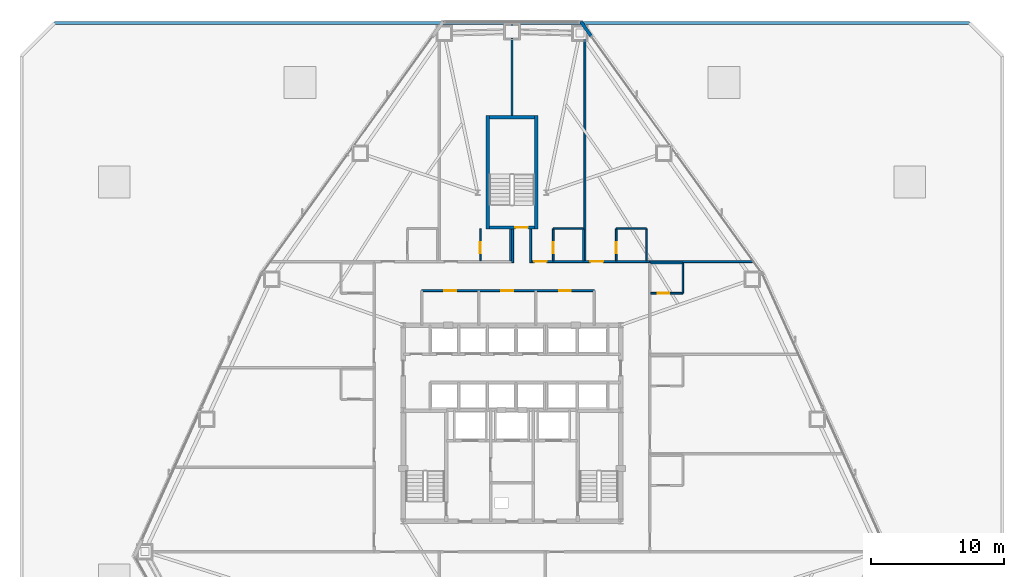
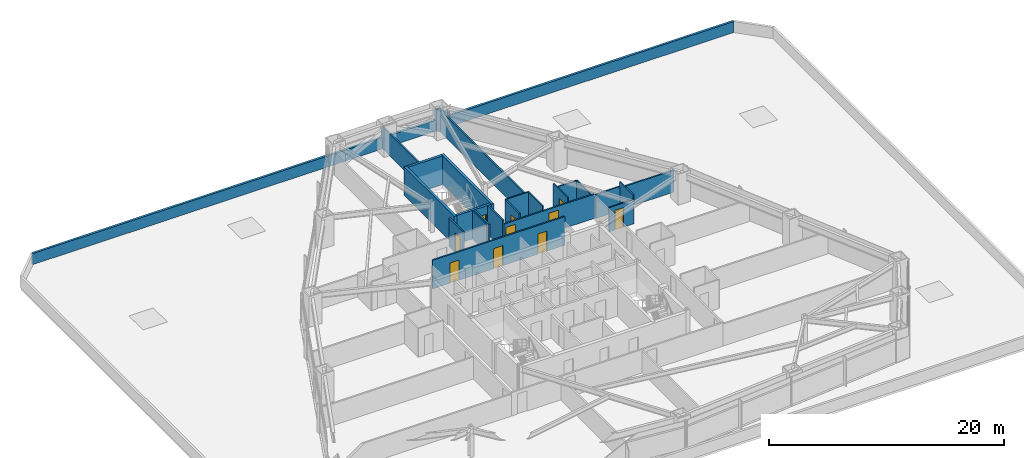
# One storey, part 15 of 17: 24 walls, 10 doors, 10 openings.
"""IFC4 building model written with IfcOpenShell, lengths in metres."""

import ifcopenshell
import ifcopenshell.guid

model = None  # the IFC model being written
_history = None  # IfcOwnerHistory: only IFC2X3 demands one
_inside = {}  # id of a spatial element -> (the spatial element, [elements in it])
_under = {}  # id of a project, library or spatial element -> (it, [spatial elements below it])
_declared = {}  # id of a project -> (the project, [libraries it declares])
_typed = {}  # id of a type object -> (the type object, [elements of that type])
_made_of = {}  # id of a material, layer set ... -> (it, [elements and type objects made of it])


def new_model(schema):
    """Start an empty IFC model of exactly this schema.

    Asked for "IFC4X3", IfcOpenShell would pick the latest addendum, in which some entities
    have other attributes; the version numbers below select the first issue.
    IFC2X3 requires an IfcOwnerHistory on every rooted entity: one is made here for all.
    """
    global model, _history
    if schema == "IFC4X3":
        model = ifcopenshell.file(schema_version=(4, 3, 0, 0))
    else:
        model = ifcopenshell.file(schema=schema)
    _inside.clear()
    _under.clear()
    _declared.clear()
    _typed.clear()
    _made_of.clear()
    _history = None
    if model.schema == "IFC2X3":
        org = make("IfcOrganization", Name="unknown")
        user = make(
            "IfcPersonAndOrganization",
            ThePerson=make("IfcPerson", FamilyName="unknown"),
            TheOrganization=org,
        )
        app = make(
            "IfcApplication",
            ApplicationDeveloper=org,
            Version="unknown",
            ApplicationFullName="unknown",
            ApplicationIdentifier="unknown",
        )
        _history = make(
            "IfcOwnerHistory",
            OwningUser=user,
            OwningApplication=app,
            ChangeAction="ADDED",
            CreationDate=0,
        )
    return model


def make(cls, **values):
    """One entity of the class cls with the attributes given. An attribute that is None is left unset."""
    return model.create_entity(
        cls, **{name: value for name, value in values.items() if value is not None}
    )


def rooted(cls, **values):
    """An entity with a GlobalId (a new one), such as an element, a storey or a relation."""
    return make(cls, GlobalId=ifcopenshell.guid.new(), OwnerHistory=_history, **values)


def si_unit(unit_type, name, prefix=None):
    """IfcSIUnit, for example si_unit("LENGTHUNIT", "METRE", prefix="MILLI")."""
    return make("IfcSIUnit", UnitType=unit_type, Prefix=prefix, Name=name)


def assignment(units):
    """IfcUnitAssignment: the units of a project."""
    return None if units is None else make("IfcUnitAssignment", Units=units)


def point(xyz):
    """IfcCartesianPoint."""
    return None if xyz is None else make("IfcCartesianPoint", Coordinates=xyz)


def direction(xyz):
    """IfcDirection."""
    return None if xyz is None else make("IfcDirection", DirectionRatios=xyz)


def frame(location, z_axis=None, x_axis=None):
    """IfcAxis2Placement3D, a coordinate frame: its origin and axes. An axis left out is left unset."""
    return make(
        "IfcAxis2Placement3D",
        Location=point(location),
        Axis=direction(z_axis),
        RefDirection=direction(x_axis),
    )


def frame_2d(location, x_axis=None):
    """IfcAxis2Placement2D, a coordinate frame in the plane: its origin and x axis."""
    return make(
        "IfcAxis2Placement2D", Location=point(location), RefDirection=direction(x_axis)
    )


def origin():
    """The frame at (0, 0, 0) with its axes left unset."""
    return frame((0.0, 0.0, 0.0))


def place(relative_to, where):
    """IfcLocalPlacement: puts the frame where relative to a parent placement (None: the world)."""
    return make(
        "IfcLocalPlacement", PlacementRelTo=relative_to, RelativePlacement=where
    )


def context(
    kind, dimensions, precision=None, world=None, true_north=None, identifier=None
):
    """IfcGeometricRepresentationContext, for example the 3D "Model" context."""
    return make(
        "IfcGeometricRepresentationContext",
        ContextIdentifier=identifier,
        ContextType=kind,
        CoordinateSpaceDimension=dimensions,
        Precision=precision,
        WorldCoordinateSystem=world,
        TrueNorth=true_north,
    )


def subcontext(parent, identifier, kind, view, scale=None):
    """IfcGeometricRepresentationSubContext, for example "Body" below "Model"."""
    return make(
        "IfcGeometricRepresentationSubContext",
        ContextIdentifier=identifier,
        ContextType=kind,
        ParentContext=parent,
        TargetScale=scale,
        TargetView=view,
    )


def project(units=None, contexts=None):
    """IfcProject with its units and contexts."""
    return rooted(
        "IfcProject",
        Name="project",
        RepresentationContexts=contexts,
        UnitsInContext=assignment(units),
    )


def spatial(cls, under=None, at=None, **own):
    """A site, building, storey or space (cls), placed at a placement, below another one or the project."""
    s = rooted(cls, ObjectPlacement=at, **own)
    if under is not None:
        _under.setdefault(under.id(), (under, []))[1].append(s)
    return s


def profile(cls, at=None, kind="AREA", **sizes):
    """A parametric profile (cls). Its sizes go by their IFC names, for example OverallWidth=200.0."""
    return make(cls, ProfileType=kind, Position=at, **sizes)


def rectangle(**sizes):
    """IfcRectangleProfileDef."""
    return profile("IfcRectangleProfileDef", **sizes)


def extrude(swept, where, along, depth):
    """IfcExtrudedAreaSolid: the profile swept, set in the frame where, extruded along a direction by depth."""
    return make(
        "IfcExtrudedAreaSolid",
        SweptArea=swept,
        Position=where,
        ExtrudedDirection=direction(along),
        Depth=depth,
    )


def shape(context_of_items, identifier, shape_type, items):
    """IfcShapeRepresentation: the items that make up one representation, for example the "Body"."""
    return make(
        "IfcShapeRepresentation",
        ContextOfItems=context_of_items,
        RepresentationIdentifier=identifier,
        RepresentationType=shape_type,
        Items=items,
    )


def material(Name=None, Category=None):
    """IfcMaterial."""
    return make("IfcMaterial", Name=Name, Category=Category)


def layer(
    of_material, thickness, ventilated=None, Name=None, Category=None, Priority=None
):
    """IfcMaterialLayer: one layer of a wall or slab, of a material (None: an air gap)."""
    return make(
        "IfcMaterialLayer",
        Material=of_material,
        LayerThickness=thickness,
        IsVentilated=ventilated,
        Name=Name,
        Category=Category,
        Priority=Priority,
    )


def layer_set(layers, Name=None):
    """IfcMaterialLayerSet."""
    return make("IfcMaterialLayerSet", MaterialLayers=layers, LayerSetName=Name)


def made_of(thing, what):
    """Note that an element or type object is made of a material, layer set ...; save() writes the relation."""
    if what is not None:
        _made_of.setdefault(what.id(), (what, []))[1].append(thing)
    return thing


def type_object(cls, material=None, **own):
    """A type object (cls), such as IfcWallType, which elements share."""
    return made_of(rooted(cls, **own), material)


def element(
    cls,
    number,
    at=None,
    inside=None,
    cuts=None,
    type_object=None,
    material=None,
    context=None,
    identifier="Body",
    shape_type=None,
    held_by="IfcProductDefinitionShape",
    body=None,
    shapes=None,
    **own,
):
    """One element of the class cls, such as IfcWall. Its Tag is "e" and its number.

    at: its placement. inside: the storey or other place that contains it. cuts: it is an
    opening in that element (IfcRelVoidsElement). A single representation is given by context,
    identifier, shape_type and body (its items); several are given by shapes. held_by: the class
    of the entity that holds the representations. save() writes the other relations.
    """
    e = rooted(cls, Tag="e%d" % number, ObjectPlacement=at, **own)
    if body is not None:
        shapes = [shape(context, identifier, shape_type, body)]
    if shapes is not None:
        e.Representation = make(held_by, Representations=shapes)
    if inside is not None:
        _inside.setdefault(inside.id(), (inside, []))[1].append(e)
    if cuts is not None:
        rooted(
            "IfcRelVoidsElement", RelatingBuildingElement=cuts, RelatedOpeningElement=e
        )
    if type_object is not None:
        _typed.setdefault(type_object.id(), (type_object, []))[1].append(e)
    return made_of(e, material)


def fill(opening, filler):
    """IfcRelFillsElement: the door or window that sits in an opening."""
    return rooted(
        "IfcRelFillsElement",
        RelatingOpeningElement=opening,
        RelatedBuildingElement=filler,
    )


def aggregate(whole, parts):
    """IfcRelAggregates: a whole, such as a stair, and the parts it consists of."""
    return rooted("IfcRelAggregates", RelatingObject=whole, RelatedObjects=parts)


def save(model, path):
    """Write the relations noted so far, then the file.

    IfcRelAggregates (storeys below a building ...), IfcRelContainedInSpatialStructure (elements
    in a storey), IfcRelDefinesByType, IfcRelAssociatesMaterial and IfcRelDeclares: one each for
    every whole, place, type object, material and project.
    """
    for whole, parts in _under.values():
        aggregate(whole, parts)
    for where, things in _inside.values():
        rooted(
            "IfcRelContainedInSpatialStructure",
            RelatedElements=things,
            RelatingStructure=where,
        )
    for kind, things in _typed.values():
        rooted("IfcRelDefinesByType", RelatedObjects=things, RelatingType=kind)
    for what, things in _made_of.values():
        rooted("IfcRelAssociatesMaterial", RelatedObjects=things, RelatingMaterial=what)
    for by, libraries in _declared.values():
        rooted("IfcRelDeclares", RelatingContext=by, RelatedDefinitions=libraries)
    model.write(path)


model = new_model("IFC4")

# Units and contexts
model_context = context("Model", 3, precision=1e-05, world=origin(), true_north=direction((0.0, 1.0)))
body_context = subcontext(model_context, "Body", "Model", "MODEL_VIEW")
ifc_project = project(units=[si_unit("LENGTHUNIT", "METRE"), si_unit("AREAUNIT", "SQUARE_METRE"), si_unit("VOLUMEUNIT", "CUBIC_METRE"), si_unit("PLANEANGLEUNIT", "RADIAN"), si_unit("MASSUNIT", "GRAM", prefix="KILO")], contexts=[model_context])

# Site, building, storey
site_placement = place(None, origin())
site = spatial("IfcSite", under=ifc_project, at=site_placement, CompositionType="ELEMENT")
building_placement = place(site_placement, origin())
building = spatial("IfcBuilding", under=site, at=building_placement, Name="Varakhsha Concourse Tower", CompositionType="ELEMENT")
storey_placement = place(building_placement, frame((0.0, 0.0, 27.199951171875)))
storey = spatial("IfcBuildingStorey", under=building, at=storey_placement, Name="L06", CompositionType="ELEMENT", Elevation=27.199951171875)

# Walls
ifc_material_1 = material(Name="Concrete fc 45 MPa", Category="concrete")
ifc_layer_1 = layer(ifc_material_1, 0.239990234375, Name="WL-EXT-CRN-240")
ifc_layer_set_1 = layer_set([ifc_layer_1], Name="Concrete fc 45 MPa")
wall_type_1 = type_object("IfcWallType", Name="WL-EXT-CRN-240", PredefinedType="SHEAR", material=ifc_layer_set_1)
wall_1_placement = place(storey_placement, frame((45.977783203125, 53.004638671875, 0.0), z_axis=(0.0, 0.0, 1.0), x_axis=(-0.584193864266, 0.811614150292, 0.0)))
element("IfcWall", 1, at=wall_1_placement, inside=storey, type_object=wall_type_1, Name="L06 Wind-Corner Shoulder Wall F9", PredefinedType="SHEAR", context=body_context, shape_type="SweptSolid", body=[
    extrude(rectangle(XDim=1.33447265625, YDim=0.239990234375, at=frame_2d((0.667236328125, 0.0))), origin(), (0.0, 0.0, 1.0), 2.262939453125),
])
ifc_layer_2 = layer(ifc_material_1, 0.219970703125, Name="WL-PARAPET-220")
ifc_layer_set_2 = layer_set([ifc_layer_2], Name="Concrete fc 45 MPa")
wall_type_2 = type_object("IfcWallType", Name="WL-PARAPET-220", PredefinedType="PARAPET", material=ifc_layer_set_2)
wall_2_placement = place(storey_placement, frame((74.5, 54.0, 0.0), z_axis=(0.0, 0.0, 1.0), x_axis=(-1.0, 0.0, 0.0)))
element("IfcWall", 2, at=wall_2_placement, inside=storey, type_object=wall_type_2, Name="Podium Roof Perimeter Parapet 05", PredefinedType="PARAPET", context=body_context, shape_type="SweptSolid", body=[
    extrude(rectangle(XDim=69.0, YDim=0.219970703125, at=frame_2d((34.5, 0.0))), origin(), (0.0, 0.0, 1.0), 1.150146484375),
])
ifc_material_2 = material(Name="Acoustic Gypsum Board Partition Assembly", Category="gypsum")
ifc_layer_3 = layer(ifc_material_2, 0.1201171875, Name="WL-PART-120")
ifc_layer_set_3 = layer_set([ifc_layer_3], Name="Acoustic Gypsum Board Partition Assembly")
wall_type_3 = type_object("IfcWallType", Name="WL-PART-120", PredefinedType="PARTITIONING", material=ifc_layer_set_3)
wall_3_placement = place(storey_placement, frame((52.889892578125, 33.610107421875, 0.0), z_axis=(0.0, 0.0, 1.0), x_axis=(0.0, 1.0, 0.0)))
element("IfcWall", 3, at=wall_3_placement, inside=storey, type_object=wall_type_3, Name="L06 Wall ENSW-E-L06-H09", PredefinedType="PARTITIONING", context=body_context, shape_type="SweptSolid", body=[
    extrude(rectangle(XDim=2.27978515625, YDim=0.1201171875, at=frame_2d((1.139892578125, 0.0))), origin(), (0.0, 0.0, 1.0), 2.97998046875),
])

# Wall, opening, door
wall_4_placement = place(storey_placement, frame((50.4599609375, 33.610107421875, 0.0), z_axis=(0.0, 0.0, 1.0), x_axis=(1.0, 0.0, 0.0)))
wall_4 = element("IfcWall", 4, at=wall_4_placement, inside=storey, type_object=wall_type_3, Name="L06 Wall ENSW-S-L06-H09", PredefinedType="PARTITIONING", context=body_context, shape_type="SweptSolid", body=[
    extrude(rectangle(XDim=2.429931640625, YDim=0.1201171875, at=frame_2d((1.21484375, 0.0))), origin(), (0.0, 0.0, 1.0), 2.512939453125),
])
opening_1_placement = place(wall_4_placement, frame((0.550048828125, 0.0, 0.0)))
opening_1 = element("IfcOpeningElement", 5, at=opening_1_placement, cuts=wall_4, Name="Opening DI-01", PredefinedType="OPENING", context=body_context, shape_type="SweptSolid", body=[
    extrude(rectangle(XDim=0.85009765625, YDim=2.050048828125, at=frame_2d((0.425048828125, 1.02490234375))), frame((0.0, 0.070068359375, 0.0), z_axis=(0.0, -1.0, 0.0), x_axis=(1.0, 0.0, 0.0)), (0.0, 0.0, 1.0), 0.14013671875),
])
ifc_material_3 = material(Name="Architectural Walnut Acoustic Timber Door", Category="wood")
door_type_1 = type_object("IfcDoorType", Name="DR-INT-850", OperationType="NOTDEFINED", PredefinedType="DOOR", material=ifc_material_3)
door_1_placement = place(opening_1_placement, origin())
door_1 = element("IfcDoor", 6, at=door_1_placement, inside=storey, type_object=door_type_1, Name="L06 En-suite Bathroom Door L06-H09", OperationType="SINGLE_SWING_RIGHT", OverallHeight=2.050048828125, OverallWidth=0.85009765625, PredefinedType="DOOR", context=body_context, shape_type="SweptSolid", body=[
    extrude(rectangle(XDim=0.85009765625, YDim=2.050048828125, at=frame_2d((0.425048828125, 1.02490234375))), frame((0.0, 0.02490234375, 0.0), z_axis=(0.0, -1.0, 0.0), x_axis=(1.0, 0.0, 0.0)), (0.0, 0.0, 1.0), 0.050048828125),
])
fill(opening_1, door_1)

# Wall
wall_5_placement = place(storey_placement, frame((50.4599609375, 35.889892578125, 0.0), z_axis=(0.0, 0.0, 1.0), x_axis=(1.0, 0.0, 0.0)))
element("IfcWall", 7, at=wall_5_placement, inside=storey, type_object=wall_type_3, Name="L06 Wall ENSW-N-L06-H09", PredefinedType="PARTITIONING", context=body_context, shape_type="SweptSolid", body=[
    extrude(rectangle(XDim=2.429931640625, YDim=0.1201171875, at=frame_2d((1.21484375, 0.0))), origin(), (0.0, 0.0, 1.0), 2.512939453125),
])

# Wall, opening, door
wall_6_placement = place(storey_placement, frame((37.610107421875, 36.06005859375, 0.0), z_axis=(0.0, 0.0, 1.0), x_axis=(0.0, 1.0, 0.0)))
wall_6 = element("IfcWall", 8, at=wall_6_placement, inside=storey, type_object=wall_type_3, Name="L06 Wall ENSW-W-L06-H11", PredefinedType="PARTITIONING", context=body_context, shape_type="SweptSolid", body=[
    extrude(rectangle(XDim=2.429931640625, YDim=0.1201171875, at=frame_2d((1.21484375, 0.0))), origin(), (0.0, 0.0, 1.0), 2.97998046875),
])
opening_2_placement = place(wall_6_placement, frame((0.550048828125, 0.0, 0.0)))
opening_2 = element("IfcOpeningElement", 9, at=opening_2_placement, cuts=wall_6, Name="Opening DI-01", PredefinedType="OPENING", context=body_context, shape_type="SweptSolid", body=[
    extrude(rectangle(XDim=0.85009765625, YDim=2.050048828125, at=frame_2d((0.425048828125, 1.02490234375))), frame((0.0, 0.070068359375, 0.0), z_axis=(0.0, -1.0, 0.0), x_axis=(1.0, 0.0, 0.0)), (0.0, 0.0, 1.0), 0.14013671875),
])
door_2_placement = place(opening_2_placement, origin())
door_2 = element("IfcDoor", 10, at=door_2_placement, inside=storey, type_object=door_type_1, Name="L06 En-suite Bathroom Door L06-H11", OperationType="SINGLE_SWING_RIGHT", OverallHeight=2.050048828125, OverallWidth=0.85009765625, PredefinedType="DOOR", context=body_context, shape_type="SweptSolid", body=[
    extrude(rectangle(XDim=0.85009765625, YDim=2.050048828125, at=frame_2d((0.425048828125, 1.02490234375))), frame((0.0, 0.02490234375, 0.0), z_axis=(0.0, -1.0, 0.0), x_axis=(1.0, 0.0, 0.0)), (0.0, 0.0, 1.0), 0.050048828125),
])
fill(opening_2, door_2)

# Wall
wall_7_placement = place(storey_placement, frame((39.889892578125, 36.06005859375, 0.0), z_axis=(0.0, 0.0, 1.0), x_axis=(0.0, 1.0, 0.0)))
element("IfcWall", 11, at=wall_7_placement, inside=storey, type_object=wall_type_3, Name="L06 Wall ENSW-E-L06-H11", PredefinedType="PARTITIONING", context=body_context, shape_type="SweptSolid", body=[
    extrude(rectangle(XDim=2.389892578125, YDim=0.1201171875, at=frame_2d((1.19482421875, 0.0))), origin(), (0.0, 0.0, 1.0), 2.97998046875),
])

# Wall, opening, door
wall_8_placement = place(storey_placement, frame((43.110107421875, 36.06005859375, 0.0), z_axis=(0.0, 0.0, 1.0), x_axis=(0.0, 1.0, 0.0)))
wall_8 = element("IfcWall", 12, at=wall_8_placement, inside=storey, type_object=wall_type_3, Name="L06 Wall ENSW-W-L06-H12", PredefinedType="PARTITIONING", context=body_context, shape_type="SweptSolid", body=[
    extrude(rectangle(XDim=2.429931640625, YDim=0.1201171875, at=frame_2d((1.21484375, 0.0))), origin(), (0.0, 0.0, 1.0), 2.97998046875),
])
opening_3_placement = place(wall_8_placement, frame((0.550048828125, 0.0, 0.0)))
opening_3 = element("IfcOpeningElement", 13, at=opening_3_placement, cuts=wall_8, Name="Opening DI-01", PredefinedType="OPENING", context=body_context, shape_type="SweptSolid", body=[
    extrude(rectangle(XDim=0.85009765625, YDim=2.050048828125, at=frame_2d((0.425048828125, 1.02490234375))), frame((0.0, 0.070068359375, 0.0), z_axis=(0.0, -1.0, 0.0), x_axis=(1.0, 0.0, 0.0)), (0.0, 0.0, 1.0), 0.14013671875),
])
door_3_placement = place(opening_3_placement, origin())
door_3 = element("IfcDoor", 14, at=door_3_placement, inside=storey, type_object=door_type_1, Name="L06 En-suite Bathroom Door L06-H12", OperationType="SINGLE_SWING_RIGHT", OverallHeight=2.050048828125, OverallWidth=0.85009765625, PredefinedType="DOOR", context=body_context, shape_type="SweptSolid", body=[
    extrude(rectangle(XDim=0.85009765625, YDim=2.050048828125, at=frame_2d((0.425048828125, 1.02490234375))), frame((0.0, 0.02490234375, 0.0), z_axis=(0.0, -1.0, 0.0), x_axis=(1.0, 0.0, 0.0)), (0.0, 0.0, 1.0), 0.050048828125),
])
fill(opening_3, door_3)

# Walls
wall_9_placement = place(storey_placement, frame((45.389892578125, 36.06005859375, 0.0), z_axis=(0.0, 0.0, 1.0), x_axis=(0.0, 1.0, 0.0)))
element("IfcWall", 15, at=wall_9_placement, inside=storey, type_object=wall_type_3, Name="L06 Wall ENSW-E-L06-H12", PredefinedType="PARTITIONING", context=body_context, shape_type="SweptSolid", body=[
    extrude(rectangle(XDim=2.429931640625, YDim=0.1201171875, at=frame_2d((1.21484375, 0.0))), origin(), (0.0, 0.0, 1.0), 2.97998046875),
])
wall_10_placement = place(storey_placement, frame((43.110107421875, 38.489990234375, 0.0), z_axis=(0.0, 0.0, 1.0), x_axis=(1.0, 0.0, 0.0)))
element("IfcWall", 16, at=wall_10_placement, inside=storey, type_object=wall_type_3, Name="L06 Wall ENSW-N-L06-H12", PredefinedType="PARTITIONING", context=body_context, shape_type="SweptSolid", body=[
    extrude(rectangle(XDim=2.27978515625, YDim=0.1201171875, at=frame_2d((1.139892578125, 0.0))), origin(), (0.0, 0.0, 1.0), 2.97998046875),
])

# Wall, opening, door
wall_11_placement = place(storey_placement, frame((47.860107421875, 36.06005859375, 0.0), z_axis=(0.0, 0.0, 1.0), x_axis=(0.0, 1.0, 0.0)))
wall_11 = element("IfcWall", 17, at=wall_11_placement, inside=storey, type_object=wall_type_3, Name="L06 Wall ENSW-W-L06-H13", PredefinedType="PARTITIONING", context=body_context, shape_type="SweptSolid", body=[
    extrude(rectangle(XDim=2.429931640625, YDim=0.1201171875, at=frame_2d((1.21484375, 0.0))), origin(), (0.0, 0.0, 1.0), 2.97998046875),
])
opening_4_placement = place(wall_11_placement, frame((0.550048828125, 0.0, 0.0)))
opening_4 = element("IfcOpeningElement", 18, at=opening_4_placement, cuts=wall_11, Name="Opening DI-01", PredefinedType="OPENING", context=body_context, shape_type="SweptSolid", body=[
    extrude(rectangle(XDim=0.85009765625, YDim=2.050048828125, at=frame_2d((0.425048828125, 1.02490234375))), frame((0.0, 0.070068359375, 0.0), z_axis=(0.0, -1.0, 0.0), x_axis=(1.0, 0.0, 0.0)), (0.0, 0.0, 1.0), 0.14013671875),
])
door_4_placement = place(opening_4_placement, origin())
door_4 = element("IfcDoor", 19, at=door_4_placement, inside=storey, type_object=door_type_1, Name="L06 En-suite Bathroom Door L06-H13", OperationType="SINGLE_SWING_RIGHT", OverallHeight=2.050048828125, OverallWidth=0.85009765625, PredefinedType="DOOR", context=body_context, shape_type="SweptSolid", body=[
    extrude(rectangle(XDim=0.85009765625, YDim=2.050048828125, at=frame_2d((0.425048828125, 1.02490234375))), frame((0.0, 0.02490234375, 0.0), z_axis=(0.0, -1.0, 0.0), x_axis=(1.0, 0.0, 0.0)), (0.0, 0.0, 1.0), 0.050048828125),
])
fill(opening_4, door_4)

# Walls
wall_12_placement = place(storey_placement, frame((50.139892578125, 36.06005859375, 0.0), z_axis=(0.0, 0.0, 1.0), x_axis=(0.0, 1.0, 0.0)))
element("IfcWall", 20, at=wall_12_placement, inside=storey, type_object=wall_type_3, Name="L06 Wall ENSW-E-L06-H13", PredefinedType="PARTITIONING", context=body_context, shape_type="SweptSolid", body=[
    extrude(rectangle(XDim=2.429931640625, YDim=0.1201171875, at=frame_2d((1.21484375, 0.0))), origin(), (0.0, 0.0, 1.0), 2.512939453125),
])
wall_13_placement = place(storey_placement, frame((47.860107421875, 38.489990234375, 0.0), z_axis=(0.0, 0.0, 1.0), x_axis=(1.0, 0.0, 0.0)))
element("IfcWall", 21, at=wall_13_placement, inside=storey, type_object=wall_type_3, Name="L06 Wall ENSW-N-L06-H13", PredefinedType="PARTITIONING", context=body_context, shape_type="SweptSolid", body=[
    extrude(rectangle(XDim=2.27978515625, YDim=0.1201171875, at=frame_2d((1.139892578125, 0.0))), origin(), (0.0, 0.0, 1.0), 2.512939453125),
])

# Wall, openings, doors
ifc_material_4 = material(Name="Fire-Rated Type X Gypsum Partition Assembly", Category="gypsum")
ifc_layer_4 = layer(ifc_material_4, 0.14990234375, Name="WL-PART-150")
ifc_layer_set_4 = layer_set([ifc_layer_4], Name="Fire-Rated Type X Gypsum Partition Assembly")
wall_type_4 = type_object("IfcWallType", Name="WL-PART-150", PredefinedType="PARTITIONING", material=ifc_layer_set_4)
wall_14_placement = place(storey_placement, frame((33.199951171875, 33.800048828125, 0.0), z_axis=(0.0, 0.0, 1.0), x_axis=(1.0, 0.0, 0.0)))
wall_14 = element("IfcWall", 22, at=wall_14_placement, inside=storey, type_object=wall_type_4, Name="L06 Wall NBOH-N-L06", PredefinedType="PARTITIONING", context=body_context, shape_type="SweptSolid", body=[
    extrude(rectangle(XDim=13.0, YDim=0.14990234375, at=frame_2d((6.5, 0.0))), origin(), (0.0, 0.0, 1.0), 2.97998046875),
])
opening_5_placement = place(wall_14_placement, frame((1.699951171875, 0.0, 0.0)))
opening_5 = element("IfcOpeningElement", 23, at=opening_5_placement, cuts=wall_14, Name="Opening DF-06", PredefinedType="OPENING", context=body_context, shape_type="SweptSolid", body=[
    extrude(rectangle(XDim=0.89990234375, YDim=2.10009765625, at=frame_2d((0.449951171875, 1.050048828125))), frame((0.0, 0.0849609375, 0.0), z_axis=(0.0, -1.0, 0.0), x_axis=(1.0, 0.0, 0.0)), (0.0, 0.0, 1.0), 0.169921875),
])
opening_6_placement = place(wall_14_placement, frame((6.0, 0.0, 0.0)))
opening_6 = element("IfcOpeningElement", 24, at=opening_6_placement, cuts=wall_14, Name="Opening DF-06", PredefinedType="OPENING", context=body_context, shape_type="SweptSolid", body=[
    extrude(rectangle(XDim=0.89990234375, YDim=2.10009765625, at=frame_2d((0.449951171875, 1.050048828125))), frame((0.0, 0.0849609375, 0.0), z_axis=(0.0, -1.0, 0.0), x_axis=(1.0, 0.0, 0.0)), (0.0, 0.0, 1.0), 0.169921875),
])
opening_7_placement = place(wall_14_placement, frame((10.35009765625, 0.0, 0.0)))
opening_7 = element("IfcOpeningElement", 25, at=opening_7_placement, cuts=wall_14, Name="Opening DF-06", PredefinedType="OPENING", context=body_context, shape_type="SweptSolid", body=[
    extrude(rectangle(XDim=0.89990234375, YDim=2.10009765625, at=frame_2d((0.449951171875, 1.050048828125))), frame((0.0, 0.0849609375, 0.0), z_axis=(0.0, -1.0, 0.0), x_axis=(1.0, 0.0, 0.0)), (0.0, 0.0, 1.0), 0.169921875),
])
ifc_material_5 = material(Name="Hollow Galvanised Steel Fire Door Assembly", Category="steel")
door_type_2 = type_object("IfcDoorType", Name="DR-FD60-900", OperationType="NOTDEFINED", PredefinedType="DOOR", material=ifc_material_5)
door_5_placement = place(opening_5_placement, origin())
door_5 = element("IfcDoor", 26, at=door_5_placement, inside=storey, type_object=door_type_2, Name="L06 Housekeeping and Linen Room Door", OperationType="SINGLE_SWING_LEFT", OverallHeight=2.10009765625, OverallWidth=0.89990234375, PredefinedType="DOOR", context=body_context, shape_type="SweptSolid", body=[
    extrude(rectangle(XDim=0.89990234375, YDim=2.10009765625, at=frame_2d((0.449951171875, 1.050048828125))), frame((0.0, 0.02490234375, 0.0), z_axis=(0.0, -1.0, 0.0), x_axis=(1.0, 0.0, 0.0)), (0.0, 0.0, 1.0), 0.050048828125),
])
fill(opening_5, door_5)
door_6_placement = place(opening_6_placement, origin())
door_6 = element("IfcDoor", 27, at=door_6_placement, inside=storey, type_object=door_type_2, Name="L06 Accessible WC Door", OperationType="SINGLE_SWING_RIGHT", OverallHeight=2.10009765625, OverallWidth=0.89990234375, PredefinedType="DOOR", context=body_context, shape_type="SweptSolid", body=[
    extrude(rectangle(XDim=0.89990234375, YDim=2.10009765625, at=frame_2d((0.449951171875, 1.050048828125))), frame((0.0, 0.02490234375, 0.0), z_axis=(0.0, -1.0, 0.0), x_axis=(1.0, 0.0, 0.0)), (0.0, 0.0, 1.0), 0.050048828125),
])
fill(opening_6, door_6)
door_7_placement = place(opening_7_placement, origin())
door_7 = element("IfcDoor", 28, at=door_7_placement, inside=storey, type_object=door_type_2, Name="L06 Staff Restroom WC Door", OperationType="SINGLE_SWING_LEFT", OverallHeight=2.10009765625, OverallWidth=0.89990234375, PredefinedType="DOOR", context=body_context, shape_type="SweptSolid", body=[
    extrude(rectangle(XDim=0.89990234375, YDim=2.10009765625, at=frame_2d((0.449951171875, 1.050048828125))), frame((0.0, 0.02490234375, 0.0), z_axis=(0.0, -1.0, 0.0), x_axis=(1.0, 0.0, 0.0)), (0.0, 0.0, 1.0), 0.050048828125),
])
fill(opening_7, door_7)

wall_15_placement = place(storey_placement, frame((41.47509765625, 36.0, 0.0), z_axis=(0.0, 0.0, 1.0), x_axis=(1.0, 0.0, 0.0)))
wall_15 = element("IfcWall", 29, at=wall_15_placement, inside=storey, type_object=wall_type_4, Name="L06 Wall CRW-N-L06-B", PredefinedType="PARTITIONING", context=body_context, shape_type="SweptSolid", body=[
    extrude(rectangle(XDim=8.9248046875, YDim=0.14990234375, at=frame_2d((4.46240234375, 0.0))), origin(), (0.0, 0.0, 1.0), 2.512939453125),
])
opening_8_placement = place(wall_15_placement, frame((0.199951171875, 0.0, 0.0)))
opening_8 = element("IfcOpeningElement", 30, at=opening_8_placement, cuts=wall_15, Name="Opening DF-05", PredefinedType="OPENING", context=body_context, shape_type="SweptSolid", body=[
    extrude(rectangle(XDim=0.949951171875, YDim=2.10009765625, at=frame_2d((0.47509765625, 1.050048828125))), frame((0.0, 0.0849609375, 0.0), z_axis=(0.0, -1.0, 0.0), x_axis=(1.0, 0.0, 0.0)), (0.0, 0.0, 1.0), 0.169921875),
])
opening_9_placement = place(wall_15_placement, frame((4.445068359375, 0.0, 0.0)))
opening_9 = element("IfcOpeningElement", 31, at=opening_9_placement, cuts=wall_15, Name="Opening DF-05", PredefinedType="OPENING", context=body_context, shape_type="SweptSolid", body=[
    extrude(rectangle(XDim=0.949951171875, YDim=2.10009765625, at=frame_2d((0.47509765625, 1.050048828125))), frame((0.0, 0.0849609375, 0.0), z_axis=(0.0, -1.0, 0.0), x_axis=(1.0, 0.0, 0.0)), (0.0, 0.0, 1.0), 0.169921875),
])
door_type_3 = type_object("IfcDoorType", Name="DR-FD60-950", OperationType="NOTDEFINED", PredefinedType="DOOR", material=ifc_material_5)
door_8_placement = place(opening_8_placement, origin())
door_8 = element("IfcDoor", 32, at=door_8_placement, inside=storey, type_object=door_type_3, Name="L06 Hotel Corner Suite L06-H12 Entry Door", OperationType="SINGLE_SWING_RIGHT", OverallHeight=2.10009765625, OverallWidth=0.949951171875, PredefinedType="DOOR", context=body_context, shape_type="SweptSolid", body=[
    extrude(rectangle(XDim=0.949951171875, YDim=2.10009765625, at=frame_2d((0.47509765625, 1.050048828125))), frame((0.0, 0.02490234375, 0.0), z_axis=(0.0, -1.0, 0.0), x_axis=(1.0, 0.0, 0.0)), (0.0, 0.0, 1.0), 0.050048828125),
])
fill(opening_8, door_8)
door_9_placement = place(opening_9_placement, origin())
door_9 = element("IfcDoor", 33, at=door_9_placement, inside=storey, type_object=door_type_3, Name="L06 Hotel Corner Suite L06-H13 Entry Door", OperationType="SINGLE_SWING_LEFT", OverallHeight=2.10009765625, OverallWidth=0.949951171875, PredefinedType="DOOR", context=body_context, shape_type="SweptSolid", body=[
    extrude(rectangle(XDim=0.949951171875, YDim=2.10009765625, at=frame_2d((0.47509765625, 1.050048828125))), frame((0.0, 0.02490234375, 0.0), z_axis=(0.0, -1.0, 0.0), x_axis=(1.0, 0.0, 0.0)), (0.0, 0.0, 1.0), 0.050048828125),
])
fill(opening_9, door_9)

# Walls
wall_16_placement = place(storey_placement, frame((50.39990234375, 36.0, 0.0), z_axis=(0.0, 0.0, 1.0), x_axis=(1.0, 0.0, 0.0)))
element("IfcWall", 34, at=wall_16_placement, inside=storey, type_object=wall_type_4, Name="L06 Wall HDIV-EBN-L06", PredefinedType="PARTITIONING", context=body_context, shape_type="SweptSolid", body=[
    extrude(rectangle(XDim=7.814453125, YDim=0.14990234375, at=frame_2d((3.9072265625, 0.0))), origin(), (0.0, 0.0, 1.0), 2.26806640625),
])
wall_17_placement = place(storey_placement, frame((40.0, 47.0, 0.0), z_axis=(0.0, 0.0, 1.0), x_axis=(0.0, 1.0, 0.0)))
element("IfcWall", 35, at=wall_17_placement, inside=storey, type_object=wall_type_4, Name="L06 Wall HDIV-N2-L06", PredefinedType="PARTITIONING", context=body_context, shape_type="SweptSolid", body=[
    extrude(rectangle(XDim=7.05517578125, YDim=0.14990234375, at=frame_2d((3.527587890625, 0.0))), origin(), (0.0, 0.0, 1.0), 2.26806640625),
])
wall_18_placement = place(storey_placement, frame((45.5, 36.0, 0.0), z_axis=(0.0, 0.0, 1.0), x_axis=(0.0, 1.0, 0.0)))
element("IfcWall", 36, at=wall_18_placement, inside=storey, type_object=wall_type_4, Name="L06 Wall HDIV-N3-L06", PredefinedType="PARTITIONING", context=body_context, shape_type="SweptSolid", body=[
    extrude(rectangle(XDim=17.659912109375, YDim=0.14990234375, at=frame_2d((8.830078125, 0.0))), origin(), (0.0, 0.0, 1.0), 2.26806640625),
])
for number, where, z_axis, x_axis, name in (
    (37, (40.050048828125, 35.925048828125, 0.0), (0.0, 0.0, 1.0), (0.0, 1.0, 0.0), "L06 Wall STUB-W-L06"),
    (38, (41.39990234375, 35.925048828125, 0.0), (0.0, 0.0, 1.0), (0.0, 1.0, 0.0), "L06 Wall STUB-E-L06"),
):
    element("IfcWall", number, at=place(storey_placement, frame(where, z_axis=z_axis, x_axis=x_axis)), inside=storey, type_object=wall_type_4, Name=name, PredefinedType="PARTITIONING", context=body_context, shape_type="SweptSolid", body=[
        extrude(rectangle(XDim=2.52490234375, YDim=0.14990234375, at=frame_2d((1.262451171875, 0.0))), origin(), (0.0, 0.0, 1.0), 2.97998046875),
    ])
ifc_layer_5 = layer(ifc_material_1, 0.25, Name="WL-STAIR-250")
ifc_layer_set_5 = layer_set([ifc_layer_5], Name="Concrete fc 45 MPa")
wall_type_5 = type_object("IfcWallType", Name="WL-STAIR-250", PredefinedType="SHEAR", material=ifc_layer_set_5)
for number, where, z_axis, x_axis, name in (
    (39, (38.175048828125, 38.449951171875, 0.0), (0.0, 0.0, 1.0), (0.0, 1.0, 0.0), "L06 Wall SWALL-ST5-W-L06"),
    (40, (41.824951171875, 38.449951171875, 0.0), (0.0, 0.0, 1.0), (0.0, 1.0, 0.0), "L06 Wall SWALL-ST5-E-L06"),
):
    element("IfcWall", number, at=place(storey_placement, frame(where, z_axis=z_axis, x_axis=x_axis)), inside=storey, type_object=wall_type_5, Name=name, PredefinedType="SHEAR", context=body_context, shape_type="SweptSolid", body=[
        extrude(rectangle(XDim=8.550048828125, YDim=0.25, at=frame_2d((4.27490234375, 0.0))), origin(), (0.0, 0.0, 1.0), 2.97998046875),
    ])

# Wall, opening, door
wall_19_placement = place(storey_placement, frame((38.300048828125, 38.574951171875, 0.0), z_axis=(0.0, 0.0, 1.0), x_axis=(1.0, 0.0, 0.0)))
wall_19 = element("IfcWall", 41, at=wall_19_placement, inside=storey, type_object=wall_type_5, Name="L06 Wall SWALL-ST5-S-L06", PredefinedType="SHEAR", context=body_context, shape_type="SweptSolid", body=[
    extrude(rectangle(XDim=3.39990234375, YDim=0.25, at=frame_2d((1.699951171875, 0.0))), origin(), (0.0, 0.0, 1.0), 2.97998046875),
])
opening_10_placement = place(wall_19_placement, frame((1.949951171875, 0.0, 0.0)))
opening_10 = element("IfcOpeningElement", 42, at=opening_10_placement, cuts=wall_19, Name="Opening DF-03", PredefinedType="OPENING", context=body_context, shape_type="SweptSolid", body=[
    extrude(rectangle(XDim=0.949951171875, YDim=2.10009765625, at=frame_2d((0.47509765625, 1.050048828125))), frame((0.0, 0.135009765625, 0.0), z_axis=(0.0, -1.0, 0.0), x_axis=(1.0, 0.0, 0.0)), (0.0, 0.0, 1.0), 0.27001953125),
])
door_type_4 = type_object("IfcDoorType", Name="DR-FD90-950", OperationType="NOTDEFINED", PredefinedType="DOOR", material=ifc_material_5)
door_10_placement = place(opening_10_placement, origin())
door_10 = element("IfcDoor", 43, at=door_10_placement, inside=storey, type_object=door_type_4, Name="L06 Stair ST5 Fire Door", OperationType="SINGLE_SWING_RIGHT", OverallHeight=2.10009765625, OverallWidth=0.949951171875, PredefinedType="DOOR", context=body_context, shape_type="SweptSolid", body=[
    extrude(rectangle(XDim=0.949951171875, YDim=2.10009765625, at=frame_2d((0.47509765625, 1.050048828125))), frame((0.0, 0.02490234375, 0.0), z_axis=(0.0, -1.0, 0.0), x_axis=(1.0, 0.0, 0.0)), (0.0, 0.0, 1.0), 0.050048828125),
])
fill(opening_10, door_10)

# Wall
wall_20_placement = place(storey_placement, frame((38.300048828125, 46.875, 0.0), z_axis=(0.0, 0.0, 1.0), x_axis=(1.0, 0.0, 0.0)))
element("IfcWall", 44, at=wall_20_placement, inside=storey, type_object=wall_type_5, Name="L06 Wall SWALL-ST5-N-L06", PredefinedType="SHEAR", context=body_context, shape_type="SweptSolid", body=[
    extrude(rectangle(XDim=3.39990234375, YDim=0.25, at=frame_2d((1.699951171875, 0.0))), origin(), (0.0, 0.0, 1.0), 2.97998046875),
])

save(model, "model.ifc")
